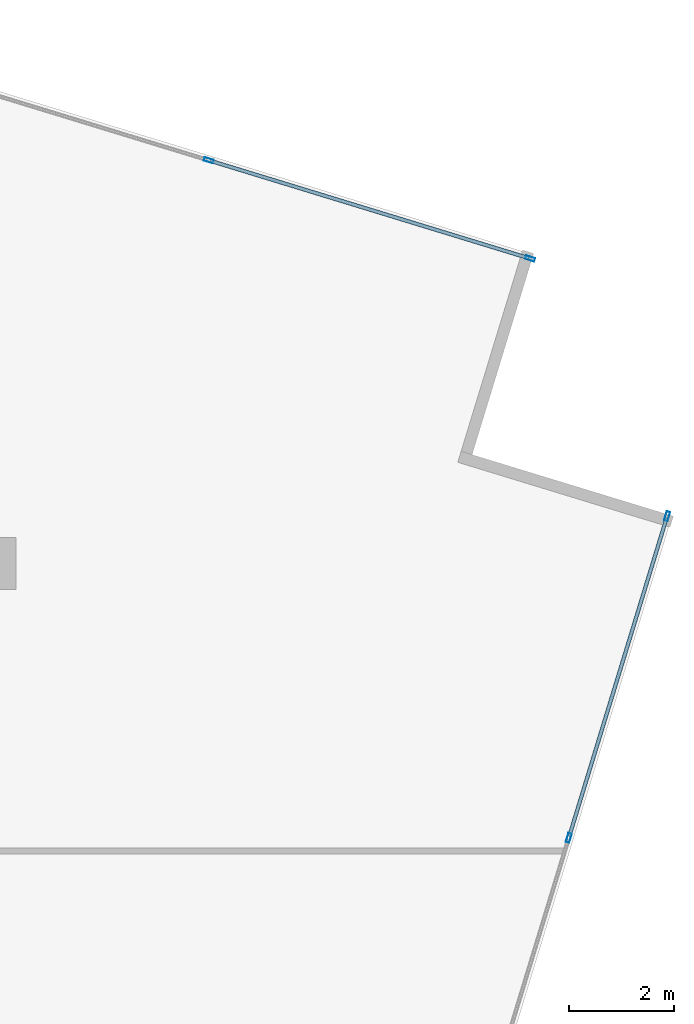
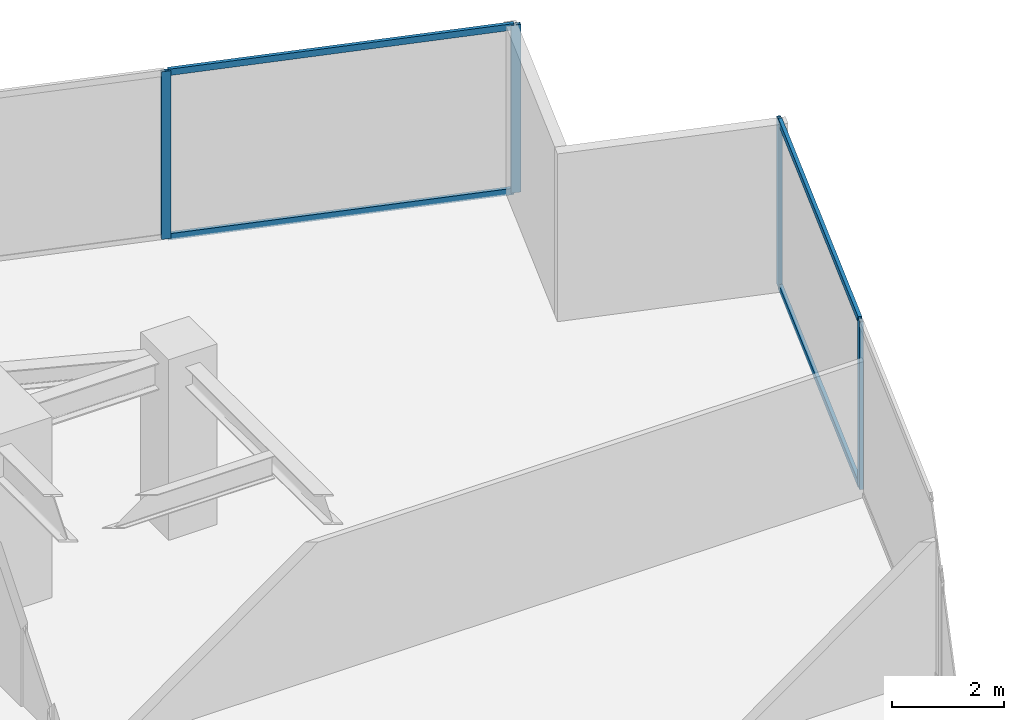
# One storey, part 19 of 26: 8 members, 2 elements without a shape of their own.
"""IFC4 building model written with IfcOpenShell, lengths in metres."""

from ifc_helpers import new_model, si_unit, direction, frame, origin, origin_2d, place, context, subcontext, project, spatial, hollow_rectangle, extrude, source, transform, mapped, material, material_profile, profile_set, type_object, type_shapes, element, aggregate, save


model = new_model("IFC4")

# Units and contexts
model_context = context("Model", 3, precision=1e-05, world=origin(), true_north=direction((0.0, 1.0)))
body_context = subcontext(model_context, "Body", "Model", "MODEL_VIEW")
ifc_project = project(units=[si_unit("LENGTHUNIT", "METRE"), si_unit("AREAUNIT", "SQUARE_METRE"), si_unit("VOLUMEUNIT", "CUBIC_METRE"), si_unit("PLANEANGLEUNIT", "RADIAN"), si_unit("MASSUNIT", "GRAM", prefix="KILO")], contexts=[model_context])

# Site, building, storey
site_placement = place(None, origin())
site = spatial("IfcSite", under=ifc_project, at=site_placement, CompositionType="ELEMENT")
building_placement = place(site_placement, origin())
building = spatial("IfcBuilding", under=site, at=building_placement, Name="Krantzveldt Concourse Tower", CompositionType="ELEMENT")
storey_placement = place(building_placement, frame((0.0, 0.0, 109.800048828125)))
storey = spatial("IfcBuildingStorey", under=building, at=storey_placement, Name="L26", CompositionType="ELEMENT", Elevation=109.800048828125)

# Curtain wall, members
ifc_material = material(Name="Anodised aluminium 6063-T6", Category="aluminium")
curtain_wall_type = type_object("IfcCurtainWallType", Name="CW2", PredefinedType="USERDEFINED", material=ifc_material)
curtain_wall_1_placement = place(storey_placement, origin())
curtain_wall_1 = element("IfcCurtainWall", 1, at=curtain_wall_1_placement, inside=storey, type_object=curtain_wall_type, Name="CW-L26-F07", ObjectType="UNITISED CURTAIN WALL", PredefinedType="USERDEFINED")
ifc_material_profile_1 = material_profile(ifc_material, hollow_rectangle(XDim=0.070068359375, YDim=0.179931640625, WallThickness=0.0048828125, at=origin_2d()), Name="Anodised aluminium 6063-T6", Category="aluminium")
ifc_profile_set_1 = profile_set([ifc_material_profile_1], Name="Anodised aluminium 6063-T6 - ALU-MULL 180x70x5")
member_type_1 = type_object("IfcMemberType", Name="CW-MUL-180", PredefinedType="MULLION", material=ifc_profile_set_1)
shared_shape_1 = source(origin(), body_context, "Body", "SweptSolid", [
    extrude(hollow_rectangle(XDim=0.070068359375, YDim=0.179931640625, WallThickness=0.0048828125, at=origin_2d()), origin(), (0.0, 0.0, 1.0), 3.669921875),
])
type_shapes(member_type_1, [shared_shape_1])
member_1_placement = place(storey_placement, frame((62.07275390625, 32.2529296875, 0.0), z_axis=(0.0, 0.0, 1.0), x_axis=(-0.956304761423, 0.292371686864, 0.0)))
member_1 = element("IfcMember", 2, at=member_1_placement, type_object=member_type_1, Name="CW-Z12 mullion 6", PredefinedType="MULLION", context=body_context, shape_type="MappedRepresentation", body=[
    mapped(shared_shape_1, transform((0.0, 0.0, 0.0), x_axis=(1.0, 0.0, 0.0), y_axis=(0.0, 1.0, 0.0), z_axis=(0.0, 0.0, 1.0), scale=1.0)),
])
member_2_placement = place(storey_placement, frame((63.953125, 38.403564453125, 0.0), z_axis=(0.0, 0.0, 1.0), x_axis=(-0.956304761423, 0.292371686864, 0.0)))
member_2 = element("IfcMember", 3, at=member_2_placement, type_object=member_type_1, Name="CW-Z12 mullion 7", PredefinedType="MULLION", context=body_context, shape_type="MappedRepresentation", body=[
    mapped(shared_shape_1, transform((0.0, 0.0, 0.0), x_axis=(1.0, 0.0, 0.0), y_axis=(0.0, 1.0, 0.0), z_axis=(0.0, 0.0, 1.0), scale=1.0)),
])

curtain_wall_2_placement = place(storey_placement, origin())
curtain_wall_2 = element("IfcCurtainWall", 4, at=curtain_wall_2_placement, inside=storey, type_object=curtain_wall_type, Name="CW-L26-F10", ObjectType="UNITISED CURTAIN WALL", PredefinedType="USERDEFINED")
member_3_placement = place(storey_placement, frame((61.333984375, 43.32958984375, 0.0), z_axis=(0.0, 0.0, 1.0), x_axis=(-0.292371686864, -0.956304761423, 0.0)))
member_3 = element("IfcMember", 5, at=member_3_placement, type_object=member_type_1, Name="CW-Z12 mullion 1", PredefinedType="MULLION", context=body_context, shape_type="MappedRepresentation", body=[
    mapped(shared_shape_1, transform((0.0, 0.0, 0.0), x_axis=(1.0, 0.0, 0.0), y_axis=(0.0, 1.0, 0.0), z_axis=(0.0, 0.0, 1.0), scale=1.0)),
])
member_4_placement = place(storey_placement, frame((55.183349609375, 45.210205078125, 0.0), z_axis=(0.0, 0.0, 1.0), x_axis=(-0.292371686864, -0.956304761423, 0.0)))
member_4 = element("IfcMember", 6, at=member_4_placement, type_object=member_type_1, Name="CW-Z12 mullion 2", PredefinedType="MULLION", context=body_context, shape_type="MappedRepresentation", body=[
    mapped(shared_shape_1, transform((0.0, 0.0, 0.0), x_axis=(1.0, 0.0, 0.0), y_axis=(0.0, 1.0, 0.0), z_axis=(0.0, 0.0, 1.0), scale=1.0)),
])

# Member
ifc_material_profile_2 = material_profile(ifc_material, hollow_rectangle(XDim=0.070068359375, YDim=0.139892578125, WallThickness=0.0048828125, at=origin_2d()), Name="Anodised aluminium 6063-T6", Category="aluminium")
ifc_profile_set_2 = profile_set([ifc_material_profile_2], Name="Anodised aluminium 6063-T6 - ALU-TRAN 140x70x5")
member_type_2 = type_object("IfcMemberType", Name="CW-TRN-150", PredefinedType="USERDEFINED", material=ifc_profile_set_2)
shared_shape_2 = source(origin(), body_context, "Body", "SweptSolid", [
    extrude(hollow_rectangle(XDim=0.070068359375, YDim=0.139892578125, WallThickness=0.0048828125, at=origin_2d()), origin(), (0.0, 0.0, 1.0), 6.36181640625),
])
type_shapes(member_type_2, [shared_shape_2])
member_5_placement = place(storey_placement, frame((62.0830078125, 32.286376953125, 0.034912109375), z_axis=(0.292389152537, 0.956299421457, 0.0), x_axis=(-0.956299421457, 0.292389152537, 0.0)))
member_5 = element("IfcMember", 7, at=member_5_placement, type_object=member_type_2, Name="CW-Z12 transom 6.1", ObjectType="TRANSOM", PredefinedType="USERDEFINED", context=body_context, shape_type="MappedRepresentation", body=[
    mapped(shared_shape_2, transform((0.0, 0.0, 0.0), x_axis=(1.0, 0.0, 0.0), y_axis=(0.0, 1.0, 0.0), z_axis=(0.0, 0.0, 1.0), scale=1.0)),
])

member_6_placement = place(storey_placement, frame((62.0830078125, 32.286376953125, 3.635009765625), z_axis=(0.292389152537, 0.956299421457, 0.0), x_axis=(-0.956299421457, 0.292389152537, 0.0)))
member_6 = element("IfcMember", 8, at=member_6_placement, type_object=member_type_2, Name="CW-Z12 transom 6.2", ObjectType="TRANSOM", PredefinedType="USERDEFINED", context=body_context, shape_type="MappedRepresentation", body=[
    mapped(shared_shape_2, transform((0.0, 0.0, 0.0), x_axis=(1.0, 0.0, 0.0), y_axis=(0.0, 1.0, 0.0), z_axis=(0.0, 0.0, 1.0), scale=1.0)),
])

aggregate(curtain_wall_1, [member_1, member_2, member_5, member_6])

member_7_placement = place(storey_placement, frame((61.300537109375, 43.33984375, 0.034912109375), z_axis=(-0.956299421457, 0.292389152537, 0.0), x_axis=(-0.292389152537, -0.956299421457, 0.0)))
member_7 = element("IfcMember", 9, at=member_7_placement, type_object=member_type_2, Name="CW-Z12 transom 1.1", ObjectType="TRANSOM", PredefinedType="USERDEFINED", context=body_context, shape_type="MappedRepresentation", body=[
    mapped(shared_shape_2, transform((0.0, 0.0, 0.0), x_axis=(1.0, 0.0, 0.0), y_axis=(0.0, 1.0, 0.0), z_axis=(0.0, 0.0, 1.0), scale=1.0)),
])

member_8_placement = place(storey_placement, frame((61.300537109375, 43.33984375, 3.635009765625), z_axis=(-0.956299421457, 0.292389152537, 0.0), x_axis=(-0.292389152537, -0.956299421457, 0.0)))
member_8 = element("IfcMember", 10, at=member_8_placement, type_object=member_type_2, Name="CW-Z12 transom 1.2", ObjectType="TRANSOM", PredefinedType="USERDEFINED", context=body_context, shape_type="MappedRepresentation", body=[
    mapped(shared_shape_2, transform((0.0, 0.0, 0.0), x_axis=(1.0, 0.0, 0.0), y_axis=(0.0, 1.0, 0.0), z_axis=(0.0, 0.0, 1.0), scale=1.0)),
])

aggregate(curtain_wall_2, [member_3, member_4, member_7, member_8])

save(model, "model.ifc")
